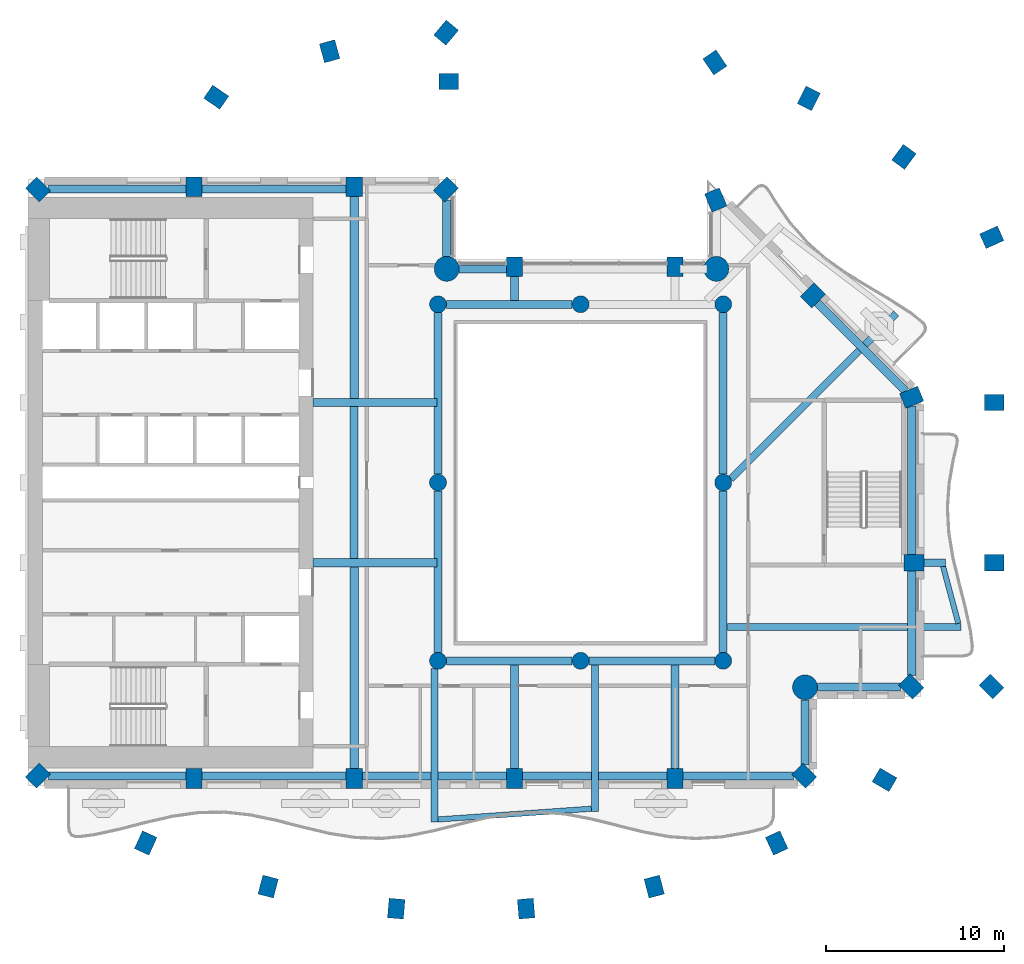
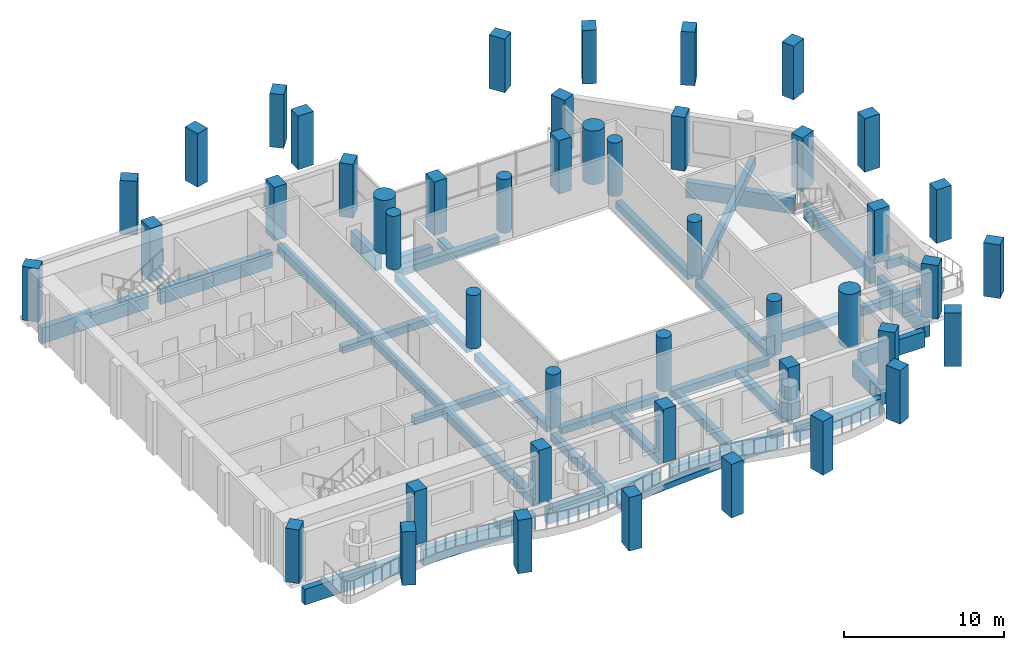
# One storey, part 1 of 14: 46 columns, 36 beams.
"""IFC4 building model written with IfcOpenShell, lengths in metres."""

import ifcopenshell
import ifcopenshell.guid

model = None  # the IFC model being written
_history = None  # IfcOwnerHistory: only IFC2X3 demands one
_inside = {}  # id of a spatial element -> (the spatial element, [elements in it])
_under = {}  # id of a project, library or spatial element -> (it, [spatial elements below it])
_declared = {}  # id of a project -> (the project, [libraries it declares])
_typed = {}  # id of a type object -> (the type object, [elements of that type])
_made_of = {}  # id of a material, layer set ... -> (it, [elements and type objects made of it])


def new_model(schema):
    """Start an empty IFC model of exactly this schema.

    Asked for "IFC4X3", IfcOpenShell would pick the latest addendum, in which some entities
    have other attributes; the version numbers below select the first issue.
    IFC2X3 requires an IfcOwnerHistory on every rooted entity: one is made here for all.
    """
    global model, _history
    if schema == "IFC4X3":
        model = ifcopenshell.file(schema_version=(4, 3, 0, 0))
    else:
        model = ifcopenshell.file(schema=schema)
    _inside.clear()
    _under.clear()
    _declared.clear()
    _typed.clear()
    _made_of.clear()
    _history = None
    if model.schema == "IFC2X3":
        org = make("IfcOrganization", Name="unknown")
        user = make(
            "IfcPersonAndOrganization",
            ThePerson=make("IfcPerson", FamilyName="unknown"),
            TheOrganization=org,
        )
        app = make(
            "IfcApplication",
            ApplicationDeveloper=org,
            Version="unknown",
            ApplicationFullName="unknown",
            ApplicationIdentifier="unknown",
        )
        _history = make(
            "IfcOwnerHistory",
            OwningUser=user,
            OwningApplication=app,
            ChangeAction="ADDED",
            CreationDate=0,
        )
    return model


def make(cls, **values):
    """One entity of the class cls with the attributes given. An attribute that is None is left unset."""
    return model.create_entity(
        cls, **{name: value for name, value in values.items() if value is not None}
    )


def rooted(cls, **values):
    """An entity with a GlobalId (a new one), such as an element, a storey or a relation."""
    return make(cls, GlobalId=ifcopenshell.guid.new(), OwnerHistory=_history, **values)


def si_unit(unit_type, name, prefix=None):
    """IfcSIUnit, for example si_unit("LENGTHUNIT", "METRE", prefix="MILLI")."""
    return make("IfcSIUnit", UnitType=unit_type, Prefix=prefix, Name=name)


def assignment(units):
    """IfcUnitAssignment: the units of a project."""
    return None if units is None else make("IfcUnitAssignment", Units=units)


def point(xyz):
    """IfcCartesianPoint."""
    return None if xyz is None else make("IfcCartesianPoint", Coordinates=xyz)


def direction(xyz):
    """IfcDirection."""
    return None if xyz is None else make("IfcDirection", DirectionRatios=xyz)


def frame(location, z_axis=None, x_axis=None):
    """IfcAxis2Placement3D, a coordinate frame: its origin and axes. An axis left out is left unset."""
    return make(
        "IfcAxis2Placement3D",
        Location=point(location),
        Axis=direction(z_axis),
        RefDirection=direction(x_axis),
    )


def frame_2d(location, x_axis=None):
    """IfcAxis2Placement2D, a coordinate frame in the plane: its origin and x axis."""
    return make(
        "IfcAxis2Placement2D", Location=point(location), RefDirection=direction(x_axis)
    )


def origin():
    """The frame at (0, 0, 0) with its axes left unset."""
    return frame((0.0, 0.0, 0.0))


def origin_2d():
    """The frame at (0, 0) in the plane with its x axis left unset."""
    return frame_2d((0.0, 0.0))


def place(relative_to, where):
    """IfcLocalPlacement: puts the frame where relative to a parent placement (None: the world)."""
    return make(
        "IfcLocalPlacement", PlacementRelTo=relative_to, RelativePlacement=where
    )


def context(
    kind, dimensions, precision=None, world=None, true_north=None, identifier=None
):
    """IfcGeometricRepresentationContext, for example the 3D "Model" context."""
    return make(
        "IfcGeometricRepresentationContext",
        ContextIdentifier=identifier,
        ContextType=kind,
        CoordinateSpaceDimension=dimensions,
        Precision=precision,
        WorldCoordinateSystem=world,
        TrueNorth=true_north,
    )


def subcontext(parent, identifier, kind, view, scale=None):
    """IfcGeometricRepresentationSubContext, for example "Body" below "Model"."""
    return make(
        "IfcGeometricRepresentationSubContext",
        ContextIdentifier=identifier,
        ContextType=kind,
        ParentContext=parent,
        TargetScale=scale,
        TargetView=view,
    )


def project(units=None, contexts=None):
    """IfcProject with its units and contexts."""
    return rooted(
        "IfcProject",
        Name="project",
        RepresentationContexts=contexts,
        UnitsInContext=assignment(units),
    )


def spatial(cls, under=None, at=None, **own):
    """A site, building, storey or space (cls), placed at a placement, below another one or the project."""
    s = rooted(cls, ObjectPlacement=at, **own)
    if under is not None:
        _under.setdefault(under.id(), (under, []))[1].append(s)
    return s


def profile(cls, at=None, kind="AREA", **sizes):
    """A parametric profile (cls). Its sizes go by their IFC names, for example OverallWidth=200.0."""
    return make(cls, ProfileType=kind, Position=at, **sizes)


def rectangle(**sizes):
    """IfcRectangleProfileDef."""
    return profile("IfcRectangleProfileDef", **sizes)


def circle(**sizes):
    """IfcCircleProfileDef."""
    return profile("IfcCircleProfileDef", **sizes)


def extrude(swept, where, along, depth):
    """IfcExtrudedAreaSolid: the profile swept, set in the frame where, extruded along a direction by depth."""
    return make(
        "IfcExtrudedAreaSolid",
        SweptArea=swept,
        Position=where,
        ExtrudedDirection=direction(along),
        Depth=depth,
    )


def shape(context_of_items, identifier, shape_type, items):
    """IfcShapeRepresentation: the items that make up one representation, for example the "Body"."""
    return make(
        "IfcShapeRepresentation",
        ContextOfItems=context_of_items,
        RepresentationIdentifier=identifier,
        RepresentationType=shape_type,
        Items=items,
    )


def material(Name=None, Category=None):
    """IfcMaterial."""
    return make("IfcMaterial", Name=Name, Category=Category)


def material_profile(
    of_material, cross_section, Name=None, Category=None, Priority=None
):
    """IfcMaterialProfile: a cross section and its material."""
    return make(
        "IfcMaterialProfile",
        Name=Name,
        Material=of_material,
        Profile=cross_section,
        Priority=Priority,
        Category=Category,
    )


def profile_set(profiles, Name=None, composite=None):
    """IfcMaterialProfileSet."""
    return make(
        "IfcMaterialProfileSet",
        Name=Name,
        MaterialProfiles=profiles,
        CompositeProfile=composite,
    )


def made_of(thing, what):
    """Note that an element or type object is made of a material, layer set ...; save() writes the relation."""
    if what is not None:
        _made_of.setdefault(what.id(), (what, []))[1].append(thing)
    return thing


def type_object(cls, material=None, **own):
    """A type object (cls), such as IfcWallType, which elements share."""
    return made_of(rooted(cls, **own), material)


def element(
    cls,
    number,
    at=None,
    inside=None,
    cuts=None,
    type_object=None,
    material=None,
    context=None,
    identifier="Body",
    shape_type=None,
    held_by="IfcProductDefinitionShape",
    body=None,
    shapes=None,
    **own,
):
    """One element of the class cls, such as IfcWall. Its Tag is "e" and its number.

    at: its placement. inside: the storey or other place that contains it. cuts: it is an
    opening in that element (IfcRelVoidsElement). A single representation is given by context,
    identifier, shape_type and body (its items); several are given by shapes. held_by: the class
    of the entity that holds the representations. save() writes the other relations.
    """
    e = rooted(cls, Tag="e%d" % number, ObjectPlacement=at, **own)
    if body is not None:
        shapes = [shape(context, identifier, shape_type, body)]
    if shapes is not None:
        e.Representation = make(held_by, Representations=shapes)
    if inside is not None:
        _inside.setdefault(inside.id(), (inside, []))[1].append(e)
    if cuts is not None:
        rooted(
            "IfcRelVoidsElement", RelatingBuildingElement=cuts, RelatedOpeningElement=e
        )
    if type_object is not None:
        _typed.setdefault(type_object.id(), (type_object, []))[1].append(e)
    return made_of(e, material)


def aggregate(whole, parts):
    """IfcRelAggregates: a whole, such as a stair, and the parts it consists of."""
    return rooted("IfcRelAggregates", RelatingObject=whole, RelatedObjects=parts)


def save(model, path):
    """Write the relations noted so far, then the file.

    IfcRelAggregates (storeys below a building ...), IfcRelContainedInSpatialStructure (elements
    in a storey), IfcRelDefinesByType, IfcRelAssociatesMaterial and IfcRelDeclares: one each for
    every whole, place, type object, material and project.
    """
    for whole, parts in _under.values():
        aggregate(whole, parts)
    for where, things in _inside.values():
        rooted(
            "IfcRelContainedInSpatialStructure",
            RelatedElements=things,
            RelatingStructure=where,
        )
    for kind, things in _typed.values():
        rooted("IfcRelDefinesByType", RelatedObjects=things, RelatingType=kind)
    for what, things in _made_of.values():
        rooted("IfcRelAssociatesMaterial", RelatedObjects=things, RelatingMaterial=what)
    for by, libraries in _declared.values():
        rooted("IfcRelDeclares", RelatingContext=by, RelatedDefinitions=libraries)
    model.write(path)


model = new_model("IFC4")

# Units and contexts
model_context = context("Model", 3, precision=1e-05, world=origin(), true_north=direction((0.0, 1.0)))
body_context = subcontext(model_context, "Body", "Model", "MODEL_VIEW")
ifc_project = project(units=[si_unit("LENGTHUNIT", "METRE"), si_unit("AREAUNIT", "SQUARE_METRE"), si_unit("VOLUMEUNIT", "CUBIC_METRE"), si_unit("PLANEANGLEUNIT", "RADIAN"), si_unit("MASSUNIT", "GRAM", prefix="KILO")], contexts=[model_context])

# Site, building, storey
site_placement = place(None, origin())
site = spatial("IfcSite", under=ifc_project, at=site_placement, CompositionType="ELEMENT")
building_placement = place(site_placement, origin())
building = spatial("IfcBuilding", under=site, at=building_placement, Name="Cypress Arch Tower", CompositionType="ELEMENT")
storey_placement = place(building_placement, frame((0.0, 0.0, 222.0)))
storey = spatial("IfcBuildingStorey", under=building, at=storey_placement, Name="L49", CompositionType="ELEMENT", Elevation=222.0)

# Columns
ifc_material_1 = material(Name="Concrete C70/85", Category="concrete")
ifc_material_profile_1 = material_profile(ifc_material_1, rectangle(XDim=0.89990234375, YDim=1.10009765625, at=origin_2d()), Name="RC 900x1100")
ifc_profile_set_1 = profile_set([ifc_material_profile_1], Name="Concrete C70/85")
column_type_1 = type_object("IfcColumnType", Name="Column RC 900x1100 Concrete C70/85", PredefinedType="COLUMN", material=ifc_profile_set_1)
for number, where, z_axis, x_axis, name in (
    (1, (-29.44287109375, 16.44287109375, 0.0), (0.0, 0.0, 1.0), (-0.707106781187, -0.707106781187, 0.0), "Column L49 CB00"),
    (2, (-29.44287109375, -16.44287109375, 0.0), (0.0, 0.0, 1.0), (0.707106781187, -0.707106781187, 0.0), "Column L49 CB01"),
    (3, (-20.699951171875, -16.60009765625, 0.0), (0.0, 0.0, 1.0), (1.0, 0.0, 0.0), "Column L49 CB02"),
    (4, (-11.699951171875, -16.60009765625, 0.0), (0.0, 0.0, 1.0), (1.0, 0.0, 0.0), "Column L49 CB03"),
    (5, (-2.699951171875, -16.60009765625, 0.0), (0.0, 0.0, 1.0), (1.0, 0.0, 0.0), "Column L49 CB04"),
    (6, (6.300048828125, -16.60009765625, 0.0), (0.0, 0.0, 1.0), (1.0, 0.0, 0.0), "Column L49 CB05"),
    (7, (13.54296875, -16.44287109375, 0.0), (0.0, 0.0, 1.0), (0.707106781187, 0.707106781187, 0.0), "Column L49 CB06"),
    (8, (19.54296875, -11.44287109375, 0.0), (0.0, 0.0, 1.0), (0.707106781187, 0.707106781187, 0.0), "Column L49 CB08"),
    (9, (19.699951171875, -4.5, 0.0), (0.0, 0.0, 1.0), (0.0, 1.0, 0.0), "Column L49 CB09"),
    (10, (19.569580078125, 4.7802734375, 0.0), (0.0, 0.0, 1.0), (-0.382683496864, 0.923879505795, 0.0), "Column L49 CB10"),
    (11, (14.029296875, 10.505126953125, 0.0), (0.0, 0.0, 1.0), (-0.707106781187, 0.707106781187, 0.0), "Column L49 CB11"),
    (12, (8.576171875, 15.850341796875, 0.0), (0.0, 0.0, 1.0), (-0.923879672772, -0.382683093746, 0.0), "Column L49 CB12"),
    (13, (6.300048828125, 12.10009765625, 0.0), (0.0, 0.0, 1.0), (-1.0, 0.0, 0.0), "Column L49 CB14"),
    (14, (-2.699951171875, 12.10009765625, 0.0), (0.0, 0.0, 1.0), (-1.0, 0.0, 0.0), "Column L49 CB15"),
    (15, (-6.55712890625, 16.44287109375, 0.0), (0.0, 0.0, 1.0), (-0.707106781187, 0.707106781187, 0.0), "Column L49 CB17"),
    (16, (-11.699951171875, 16.60009765625, 0.0), (0.0, 0.0, 1.0), (-1.0, 0.0, 0.0), "Column L49 CB18"),
    (17, (-20.699951171875, 16.60009765625, 0.0), (0.0, 0.0, 1.0), (-1.0, 0.0, 0.0), "Column L49 CB19"),
    (18, (8.53076171875, 23.564697265625, 0.0), (0.0, 0.0, 1.0), (-0.828469606019, -0.560034027451, 0.0), "Column L49 CQ00"),
    (19, (-6.39990234375, 22.5, 0.0), (0.0, 0.0, 1.0), (0.0, 1.0, 0.0), "Column L49 CQ01"),
    (20, (-6.54833984375, 25.236572265625, 0.0), (0.0, 0.0, 1.0), (-0.766063514674, 0.642764880407, 0.0), "Column L49 CQ02"),
    (21, (-13.081298828125, 24.193359375, 0.0), (0.0, 0.0, 1.0), (-0.96345574646, -0.267867550506, 0.0), "Column L49 CQ03"),
    (22, (-19.44189453125, 21.616943359375, 0.0), (0.0, 0.0, 1.0), (-0.565892599589, -0.824478966215, 0.0), "Column L49 CQ04"),
    (23, (-23.398193359375, -20.221435546875, 0.0), (0.0, 0.0, 1.0), (0.909932071487, -0.414757308891, 0.0), "Column L49 CQ05"),
    (24, (-16.529052734375, -22.666259765625, 0.0), (0.0, 0.0, 1.0), (0.96735573689, -0.2534223319, 0.0), "Column L49 CQ06"),
    (25, (-9.3427734375, -23.903564453125, 0.0), (0.0, 0.0, 1.0), (0.996368206733, -0.085149260784, 0.0), "Column L49 CQ07"),
    (26, (-2.057373046875, -23.903564453125, 0.0), (0.0, 0.0, 1.0), (0.996368206733, 0.085149260784, 0.0), "Column L49 CQ08"),
    (27, (5.12890625, -22.666259765625, 0.0), (0.0, 0.0, 1.0), (0.96735573689, 0.2534223319, 0.0), "Column L49 CQ09"),
    (28, (11.998291015625, -20.221435546875, 0.0), (0.0, 0.0, 1.0), (0.909932071487, 0.414757308891, 0.0), "Column L49 CQ10"),
    (29, (18.048095703125, -16.677490234375, 0.0), (0.0, 0.0, 1.0), (0.504399289829, 0.86347053014, 0.0), "Column L49 CQ11"),
    (30, (24.04296875, -11.44287109375, 0.0), (0.0, 0.0, 1.0), (0.707106781187, 0.707106781187, 0.0), "Column L49 CQ12"),
    (31, (24.199951171875, -4.5, 0.0), (0.0, 0.0, 1.0), (0.0, 1.0, 0.0), "Column L49 CQ13"),
    (32, (24.199951171875, 4.5, 0.0), (0.0, 0.0, 1.0), (0.0, 1.0, 0.0), "Column L49 CQ14"),
    (33, (24.06396484375, 13.75927734375, 0.0), (0.0, 0.0, 1.0), (-0.409765058504, 0.912191096662, 0.0), "Column L49 CQ15"),
    (34, (19.13818359375, 18.267578125, 0.0), (0.0, 0.0, 1.0), (-0.802798546114, 0.596250362144, 0.0), "Column L49 CQ16"),
    (35, (13.80322265625, 21.549072265625, 0.0), (0.0, 0.0, 1.0), (-0.893106499805, 0.44984528452, 0.0), "Column L49 CQ17"),
):
    element("IfcColumn", number, at=place(storey_placement, frame(where, z_axis=z_axis, x_axis=x_axis)), inside=storey, type_object=column_type_1, Name=name, PredefinedType="COLUMN", context=body_context, shape_type="SweptSolid", body=[
        extrude(rectangle(XDim=0.89990234375, YDim=1.10009765625, at=origin_2d()), origin(), (0.0, 0.0, 1.0), 4.10009765625),
    ])
ifc_material_2 = material(Name="Concrete C70/85", Category="concrete")
ifc_material_profile_2 = material_profile(ifc_material_2, circle(Radius=0.47509765625, at=origin_2d()), Name="RC D950")
ifc_profile_set_2 = profile_set([ifc_material_profile_2], Name="Concrete C70/85")
column_type_2 = type_object("IfcColumnType", Name="Column RC D950 Concrete C70/85", PredefinedType="COLUMN", material=ifc_profile_set_2)
for number, where, z_axis, x_axis, name in (
    (36, (-7.0, -10.0, 0.0), (0.0, 0.0, 1.0), (1.0, 0.0, 0.0), "Column L49 RNG-L49-G-7-10"),
    (37, (-7.0, 0.0, 0.0), (0.0, 0.0, 1.0), (1.0, 0.0, 0.0), "Column L49 RNG-L49-G-7+0"),
    (38, (-7.0, 10.0, 0.0), (0.0, 0.0, 1.0), (1.0, 0.0, 0.0), "Column L49 RNG-L49-G-7+10"),
    (39, (1.0, -10.0, 0.0), (0.0, 0.0, 1.0), (1.0, 0.0, 0.0), "Column L49 RNG-L49-G+1-10"),
    (40, (1.0, 10.0, 0.0), (0.0, 0.0, 1.0), (1.0, 0.0, 0.0), "Column L49 RNG-L49-G+1+10"),
    (41, (9.0, -10.0, 0.0), (0.0, 0.0, 1.0), (1.0, 0.0, 0.0), "Column L49 RNG-L49-G+9-10"),
    (42, (9.0, 0.0, 0.0), (0.0, 0.0, 1.0), (1.0, 0.0, 0.0), "Column L49 RNG-L49-G+9+0"),
    (43, (9.0, 10.0, 0.0), (0.0, 0.0, 1.0), (1.0, 0.0, 0.0), "Column L49 RNG-L49-G+9+10"),
):
    element("IfcColumn", number, at=place(storey_placement, frame(where, z_axis=z_axis, x_axis=x_axis)), inside=storey, type_object=column_type_2, Name=name, PredefinedType="COLUMN", context=body_context, shape_type="SweptSolid", body=[
        extrude(circle(Radius=0.47509765625, at=origin_2d()), origin(), (0.0, 0.0, 1.0), 4.10009765625),
    ])
ifc_material_3 = material(Name="Concrete C70/85", Category="concrete")
ifc_material_profile_3 = material_profile(ifc_material_3, circle(Radius=0.699951171875, at=origin_2d()), Name="RC D1400")
ifc_profile_set_3 = profile_set([ifc_material_profile_3], Name="Concrete C70/85")
column_type_3 = type_object("IfcColumnType", Name="Mega-column RC D1400 Concrete C70/85", PredefinedType="COLUMN", material=ifc_profile_set_3)
for number, where, z_axis, x_axis, name in (
    (44, (13.587890625, -11.48779296875, 0.0), (0.0, 0.0, 1.0), (1.0, 0.0, 0.0), "Column L49 CB07"),
    (45, (8.612060546875, 11.98779296875, 0.0), (0.0, 0.0, 1.0), (1.0, 0.0, 0.0), "Column L49 CB13"),
    (46, (-6.51220703125, 11.98779296875, 0.0), (0.0, 0.0, 1.0), (1.0, 0.0, 0.0), "Column L49 CB16"),
):
    element("IfcColumn", number, at=place(storey_placement, frame(where, z_axis=z_axis, x_axis=x_axis)), inside=storey, type_object=column_type_3, Name=name, PredefinedType="COLUMN", context=body_context, shape_type="SweptSolid", body=[
        extrude(circle(Radius=0.699951171875, at=origin_2d()), origin(), (0.0, 0.0, 1.0), 4.10009765625),
    ])

# Beams
ifc_material_4 = material(Name="Concrete C50/60", Category="concrete")
ifc_material_profile_4 = material_profile(ifc_material_4, rectangle(XDim=0.300048828125, YDim=0.39990234375, at=origin_2d()), Name="RC 300x400")
ifc_profile_set_4 = profile_set([ifc_material_profile_4], Name="Concrete C50/60")
beam_type_1 = type_object("IfcBeamType", Name="Balcony edge beam RC 300x400 Concrete C50/60", PredefinedType="BEAM", material=ifc_profile_set_4)
beam_1_placement = place(storey_placement, frame((22.189453125, -7.89990234375, -0.5), z_axis=(-0.259437022791, 0.965760027753, 0.0), x_axis=(-0.965760027753, -0.259437022791, 0.0)))
element("IfcBeam", 47, at=beam_1_placement, inside=storey, type_object=beam_type_1, Name="Balcony edge beam L49 B04", PredefinedType="BEAM", context=body_context, shape_type="SweptSolid", body=[
    extrude(rectangle(XDim=0.300048828125, YDim=0.39990234375, at=origin_2d()), origin(), (0.0, 0.0, 1.0), 3.3134765625),
])
ifc_material_5 = material(Name="Concrete C50/60", Category="concrete")
ifc_material_profile_5 = material_profile(ifc_material_5, rectangle(XDim=0.300048828125, YDim=0.449951171875, at=origin_2d()), Name="RC 300x450")
ifc_profile_set_5 = profile_set([ifc_material_profile_5], Name="Concrete C50/60")
beam_type_2 = type_object("IfcBeamType", Name="Balcony edge beam RC 300x450 Concrete C50/60", PredefinedType="BEAM", material=ifc_profile_set_5)
beam_2_placement = place(storey_placement, frame((-7.0, -18.90087890625, -0.52490234375), z_axis=(0.997542804478, 0.070059640557, 0.0), x_axis=(-0.070059640557, 0.997542804478, 0.0)))
element("IfcBeam", 48, at=beam_2_placement, inside=storey, type_object=beam_type_2, Name="Balcony edge beam L49 B01", PredefinedType="BEAM", context=body_context, shape_type="SweptSolid", body=[
    extrude(rectangle(XDim=0.300048828125, YDim=0.449951171875, at=origin_2d()), origin(), (0.0, 0.0, 1.0), 8.621337890625),
])
ifc_material_6 = material(Name="Concrete C50/60", Category="concrete")
ifc_material_profile_6 = material_profile(ifc_material_6, rectangle(XDim=0.39990234375, YDim=0.64990234375, at=origin_2d()), Name="RC 400x650")
ifc_profile_set_6 = profile_set([ifc_material_profile_6], Name="Concrete C50/60")
beam_type_3 = type_object("IfcBeamType", Name="Cantilever beam RC 400x650 Concrete C50/60", PredefinedType="BEAM", material=ifc_profile_set_6)
beam_3_placement = place(storey_placement, frame((-7.199951171875, -10.4306640625, -0.625), z_axis=(0.0, -1.0, 0.0), x_axis=(1.0, 0.0, 0.0)))
element("IfcBeam", 49, at=beam_3_placement, inside=storey, type_object=beam_type_3, Name="Cantilever beam L49 B01 1", PredefinedType="BEAM", context=body_context, shape_type="SweptSolid", body=[
    extrude(rectangle(XDim=0.39990234375, YDim=0.64990234375, at=origin_2d()), origin(), (0.0, 0.0, 1.0), 8.620361328125),
])
beam_4_placement = place(storey_placement, frame((1.800048828125, -10.22509765625, -0.625), z_axis=(0.0, -1.0, 0.0), x_axis=(1.0, 0.0, 0.0)))
element("IfcBeam", 50, at=beam_4_placement, inside=storey, type_object=beam_type_3, Name="Cantilever beam L49 B01 2", PredefinedType="BEAM", context=body_context, shape_type="SweptSolid", body=[
    extrude(rectangle(XDim=0.39990234375, YDim=0.64990234375, at=origin_2d()), origin(), (0.0, 0.0, 1.0), 8.221923828125),
])
beam_5_placement = place(storey_placement, frame((9.22509765625, -8.10009765625, -0.625), z_axis=(1.0, 0.0, 0.0), x_axis=(0.0, 1.0, 0.0)))
element("IfcBeam", 51, at=beam_5_placement, inside=storey, type_object=beam_type_3, Name="Cantilever beam L49 B04 1", PredefinedType="BEAM", context=body_context, shape_type="SweptSolid", body=[
    extrude(rectangle(XDim=0.39990234375, YDim=0.64990234375, at=origin_2d()), origin(), (0.0, 0.0, 1.0), 13.1142578125),
])
beam_6_placement = place(storey_placement, frame((20.25, -4.5, -0.625), z_axis=(1.0, 0.0, 0.0), x_axis=(0.0, 1.0, 0.0)))
element("IfcBeam", 52, at=beam_6_placement, inside=storey, type_object=beam_type_3, Name="Cantilever beam L49 B04 2", PredefinedType="BEAM", context=body_context, shape_type="SweptSolid", body=[
    extrude(rectangle(XDim=0.39990234375, YDim=0.64990234375, at=origin_2d()), origin(), (0.0, 0.0, 1.0), 1.22998046875),
])
beam_7_placement = place(storey_placement, frame((9.4287109375, 0.204345703125, -0.625), z_axis=(0.707106781187, 0.707106781187, 0.0), x_axis=(-0.707106781187, 0.707106781187, 0.0)))
element("IfcBeam", 53, at=beam_7_placement, inside=storey, type_object=beam_type_3, Name="Cantilever beam L49 B05 1", PredefinedType="BEAM", context=body_context, shape_type="SweptSolid", body=[
    extrude(rectangle(XDim=0.39990234375, YDim=0.64990234375, at=origin_2d()), origin(), (0.0, 0.0, 1.0), 13.12109375),
])
ifc_material_7 = material(Name="Concrete C50/60", Category="concrete")
ifc_material_profile_7 = material_profile(ifc_material_7, rectangle(XDim=0.449951171875, YDim=0.550048828125, at=origin_2d()), Name="RC 450x550")
ifc_profile_set_7 = profile_set([ifc_material_profile_7], Name="Concrete C50/60")
beam_type_4 = type_object("IfcBeamType", Name="Floor beam RC 450x550 Concrete C50/60", PredefinedType="BEAM", material=ifc_profile_set_7)
for number, where, z_axis, x_axis, name in (
    (54, (-7.0, -9.52490234375, -0.574951171875), (0.0, 1.0, 0.0), (-1.0, 0.0, 0.0), "Floor beam L49 RB001"),
    (55, (-7.0, 0.47509765625, -0.574951171875), (0.0, 1.0, 0.0), (-1.0, 0.0, 0.0), "Floor beam L49 RB002"),
    (56, (9.0, -9.52490234375, -0.574951171875), (0.0, 1.0, 0.0), (-1.0, 0.0, 0.0), "Floor beam L49 RB003"),
    (57, (9.0, 0.47509765625, -0.574951171875), (0.0, 1.0, 0.0), (-1.0, 0.0, 0.0), "Floor beam L49 RB004"),
):
    element("IfcBeam", number, at=place(storey_placement, frame(where, z_axis=z_axis, x_axis=x_axis)), inside=storey, type_object=beam_type_4, Name=name, PredefinedType="BEAM", context=body_context, shape_type="SweptSolid", body=[
        extrude(rectangle(XDim=0.449951171875, YDim=0.550048828125, at=origin_2d()), origin(), (0.0, 0.0, 1.0), 9.0498046875),
    ])
for number, where, z_axis, x_axis, name in (
    (58, (-6.52490234375, -10.0, -0.574951171875), (1.0, 0.0, 0.0), (0.0, 1.0, 0.0), "Floor beam L49 RB005"),
    (59, (1.47509765625, -10.0, -0.574951171875), (1.0, 0.0, 0.0), (0.0, 1.0, 0.0), "Floor beam L49 RB006"),
    (60, (-6.52490234375, 10.0, -0.574951171875), (1.0, 0.0, 0.0), (0.0, 1.0, 0.0), "Floor beam L49 RB007"),
):
    element("IfcBeam", number, at=place(storey_placement, frame(where, z_axis=z_axis, x_axis=x_axis)), inside=storey, type_object=beam_type_4, Name=name, PredefinedType="BEAM", context=body_context, shape_type="SweptSolid", body=[
        extrude(rectangle(XDim=0.449951171875, YDim=0.550048828125, at=origin_2d()), origin(), (0.0, 0.0, 1.0), 7.0498046875),
    ])
for number, where, z_axis, x_axis, name in (
    (61, (-14.0, -4.5, -0.574951171875), (1.0, 0.0, 0.0), (0.0, 1.0, 0.0), "Floor beam L49 FB009"),
    (62, (-14.0, 4.5, -0.574951171875), (1.0, 0.0, 0.0), (0.0, 1.0, 0.0), "Floor beam L49 FB010"),
):
    element("IfcBeam", number, at=place(storey_placement, frame(where, z_axis=z_axis, x_axis=x_axis)), inside=storey, type_object=beam_type_4, Name=name, PredefinedType="BEAM", context=body_context, shape_type="SweptSolid", body=[
        extrude(rectangle(XDim=0.449951171875, YDim=0.550048828125, at=origin_2d()), origin(), (0.0, 0.0, 1.0), 6.949951171875),
    ])
beam_8_placement = place(storey_placement, frame((-11.699951171875, -4.27490234375, -0.574951171875), z_axis=(0.0, 1.0, 0.0), x_axis=(-1.0, 0.0, 0.0)))
element("IfcBeam", 63, at=beam_8_placement, inside=storey, type_object=beam_type_4, Name="Floor beam L49 FB012", PredefinedType="BEAM", context=body_context, shape_type="SweptSolid", body=[
    extrude(rectangle(XDim=0.449951171875, YDim=0.550048828125, at=origin_2d()), origin(), (0.0, 0.0, 1.0), 8.5498046875),
])
beam_9_placement = place(storey_placement, frame((-2.699951171875, -16.050048828125, -0.574951171875), z_axis=(0.0, 1.0, 0.0), x_axis=(-1.0, 0.0, 0.0)))
element("IfcBeam", 64, at=beam_9_placement, inside=storey, type_object=beam_type_4, Name="Floor beam L49 FB014", PredefinedType="BEAM", context=body_context, shape_type="SweptSolid", body=[
    extrude(rectangle(XDim=0.449951171875, YDim=0.550048828125, at=origin_2d()), origin(), (0.0, 0.0, 1.0), 5.824951171875),
])
beam_10_placement = place(storey_placement, frame((-2.699951171875, 10.22509765625, -0.574951171875), z_axis=(0.0, 1.0, 0.0), x_axis=(-1.0, 0.0, 0.0)))
element("IfcBeam", 65, at=beam_10_placement, inside=storey, type_object=beam_type_4, Name="Floor beam L49 FB015", PredefinedType="BEAM", context=body_context, shape_type="SweptSolid", body=[
    extrude(rectangle(XDim=0.449951171875, YDim=0.550048828125, at=origin_2d()), origin(), (0.0, 0.0, 1.0), 1.324951171875),
])
beam_11_placement = place(storey_placement, frame((6.300048828125, -16.050048828125, -0.574951171875), z_axis=(0.0, 1.0, 0.0), x_axis=(-1.0, 0.0, 0.0)))
element("IfcBeam", 66, at=beam_11_placement, inside=storey, type_object=beam_type_4, Name="Floor beam L49 FB016", PredefinedType="BEAM", context=body_context, shape_type="SweptSolid", body=[
    extrude(rectangle(XDim=0.449951171875, YDim=0.550048828125, at=origin_2d()), origin(), (0.0, 0.0, 1.0), 5.824951171875),
])
ifc_material_8 = material(Name="Concrete C50/60", Category="concrete")
ifc_material_profile_8 = material_profile(ifc_material_8, rectangle(XDim=0.5, YDim=0.64990234375, at=origin_2d()), Name="RC 500x650")
ifc_profile_set_8 = profile_set([ifc_material_profile_8], Name="Concrete C50/60")
beam_type_5 = type_object("IfcBeamType", Name="Floor beam RC 500x650 Concrete C50/60", PredefinedType="BEAM", material=ifc_profile_set_8)
for number, where, z_axis, x_axis, name in (
    (67, (-11.699951171875, -16.050048828125, -0.625), (0.0, 1.0, 0.0), (-1.0, 0.0, 0.0), "Floor beam L49 FB011"),
    (68, (-11.699951171875, 4.72509765625, -0.625), (0.0, 1.0, 0.0), (-1.0, 0.0, 0.0), "Floor beam L49 FB013"),
):
    element("IfcBeam", number, at=place(storey_placement, frame(where, z_axis=z_axis, x_axis=x_axis)), inside=storey, type_object=beam_type_5, Name=name, PredefinedType="BEAM", context=body_context, shape_type="SweptSolid", body=[
        extrude(rectangle(XDim=0.5, YDim=0.64990234375, at=origin_2d()), origin(), (0.0, 0.0, 1.0), 11.324951171875),
    ])
ifc_material_9 = material(Name="Concrete C50/60", Category="concrete")
ifc_material_profile_9 = material_profile(ifc_material_9, rectangle(XDim=0.449951171875, YDim=1.199951171875, at=origin_2d()), Name="RC 450x1200")
ifc_profile_set_9 = profile_set([ifc_material_profile_9], Name="Concrete C50/60")
beam_type_6 = type_object("IfcBeamType", Name="Spandrel beam RC 450x1200 Concrete C50/60", PredefinedType="SPANDREL", material=ifc_profile_set_9)
beam_12_placement = place(storey_placement, frame((-28.838623046875, -16.47509765625, -1.550048828125), z_axis=(1.0, 0.0, 0.0), x_axis=(0.0, 1.0, 0.0)))
element("IfcBeam", 69, at=beam_12_placement, inside=storey, type_object=beam_type_6, Name="Spandrel beam L49 BB01-0", PredefinedType="SPANDREL", context=body_context, shape_type="SweptSolid", body=[
    extrude(rectangle(XDim=0.449951171875, YDim=1.199951171875, at=origin_2d()), origin(), (0.0, 0.0, 1.0), 7.688720703125),
])
for number, where, z_axis, x_axis, name in (
    (70, (-20.25, -16.47509765625, -1.550048828125), (1.0, 0.0, 0.0), (0.0, 1.0, 0.0), "Spandrel beam L49 BB01-1"),
    (71, (-11.25, -16.47509765625, -1.550048828125), (1.0, 0.0, 0.0), (0.0, 1.0, 0.0), "Spandrel beam L49 BB01-2"),
    (72, (-2.25, -16.47509765625, -1.550048828125), (1.0, 0.0, 0.0), (0.0, 1.0, 0.0), "Spandrel beam L49 BB01-3"),
):
    element("IfcBeam", number, at=place(storey_placement, frame(where, z_axis=z_axis, x_axis=x_axis)), inside=storey, type_object=beam_type_6, Name=name, PredefinedType="SPANDREL", context=body_context, shape_type="SweptSolid", body=[
        extrude(rectangle(XDim=0.449951171875, YDim=1.199951171875, at=origin_2d()), origin(), (0.0, 0.0, 1.0), 8.10009765625),
    ])
beam_13_placement = place(storey_placement, frame((6.75, -16.47509765625, -1.550048828125), z_axis=(1.0, 0.0, 0.0), x_axis=(0.0, 1.0, 0.0)))
element("IfcBeam", 73, at=beam_13_placement, inside=storey, type_object=beam_type_6, Name="Spandrel beam L49 BB01-4", PredefinedType="SPANDREL", context=body_context, shape_type="SweptSolid", body=[
    extrude(rectangle(XDim=0.449951171875, YDim=1.199951171875, at=origin_2d()), origin(), (0.0, 0.0, 1.0), 6.188720703125),
])
beam_14_placement = place(storey_placement, frame((13.574951171875, -15.838623046875, -1.550048828125), z_axis=(0.0, 1.0, 0.0), x_axis=(-1.0, 0.0, 0.0)))
element("IfcBeam", 74, at=beam_14_placement, inside=storey, type_object=beam_type_6, Name="Spandrel beam L49 BB02-0", PredefinedType="SPANDREL", context=body_context, shape_type="SweptSolid", body=[
    extrude(rectangle(XDim=0.449951171875, YDim=1.199951171875, at=origin_2d()), origin(), (0.0, 0.0, 1.0), 3.651123046875),
])
beam_15_placement = place(storey_placement, frame((14.28759765625, -11.47509765625, -1.550048828125), z_axis=(1.0, 0.0, 0.0), x_axis=(0.0, 1.0, 0.0)))
element("IfcBeam", 75, at=beam_15_placement, inside=storey, type_object=beam_type_6, Name="Spandrel beam L49 BB03-0", PredefinedType="SPANDREL", context=body_context, shape_type="SweptSolid", body=[
    extrude(rectangle(XDim=0.449951171875, YDim=1.199951171875, at=origin_2d()), origin(), (0.0, 0.0, 1.0), 4.651123046875),
])
beam_16_placement = place(storey_placement, frame((19.574951171875, -10.838623046875, -1.550048828125), z_axis=(0.0, 1.0, 0.0), x_axis=(-1.0, 0.0, 0.0)))
element("IfcBeam", 76, at=beam_16_placement, inside=storey, type_object=beam_type_6, Name="Spandrel beam L49 BB04-0", PredefinedType="SPANDREL", context=body_context, shape_type="SweptSolid", body=[
    extrude(rectangle(XDim=0.449951171875, YDim=1.199951171875, at=origin_2d()), origin(), (0.0, 0.0, 1.0), 5.888671875),
])
beam_17_placement = place(storey_placement, frame((19.574951171875, -4.050048828125, -1.550048828125), z_axis=(0.0, 1.0, 0.0), x_axis=(-1.0, 0.0, 0.0)))
element("IfcBeam", 77, at=beam_17_placement, inside=storey, type_object=beam_type_6, Name="Spandrel beam L49 BB04-1", PredefinedType="SPANDREL", context=body_context, shape_type="SweptSolid", body=[
    extrude(rectangle(XDim=0.449951171875, YDim=1.199951171875, at=origin_2d()), origin(), (0.0, 0.0, 1.0), 8.345458984375),
])
beam_18_placement = place(storey_placement, frame((19.23046875, 5.126953125, -1.550048828125), z_axis=(-0.707106781187, 0.707106781187, 0.0), x_axis=(-0.707106781187, -0.707106781187, 0.0)))
element("IfcBeam", 78, at=beam_18_placement, inside=storey, type_object=beam_type_6, Name="Spandrel beam L49 BB05-0", PredefinedType="SPANDREL", context=body_context, shape_type="SweptSolid", body=[
    extrude(rectangle(XDim=0.449951171875, YDim=1.199951171875, at=origin_2d()), origin(), (0.0, 0.0, 1.0), 7.03076171875),
])
beam_19_placement = place(storey_placement, frame((-3.14990234375, 11.97509765625, -1.550048828125), z_axis=(-1.0, 0.0, 0.0), x_axis=(0.0, -1.0, 0.0)))
element("IfcBeam", 79, at=beam_19_placement, inside=storey, type_object=beam_type_6, Name="Spandrel beam L49 BB07-2", PredefinedType="SPANDREL", context=body_context, shape_type="SweptSolid", body=[
    extrude(rectangle(XDim=0.449951171875, YDim=1.199951171875, at=origin_2d()), origin(), (0.0, 0.0, 1.0), 2.66259765625),
])
beam_20_placement = place(storey_placement, frame((-6.52490234375, 12.6875, -1.550048828125), z_axis=(0.0, 1.0, 0.0), x_axis=(-1.0, 0.0, 0.0)))
element("IfcBeam", 80, at=beam_20_placement, inside=storey, type_object=beam_type_6, Name="Spandrel beam L49 BB08-0", PredefinedType="SPANDREL", context=body_context, shape_type="SweptSolid", body=[
    extrude(rectangle(XDim=0.449951171875, YDim=1.199951171875, at=origin_2d()), origin(), (0.0, 0.0, 1.0), 3.151123046875),
])
beam_21_placement = place(storey_placement, frame((-12.14990234375, 16.47509765625, -1.550048828125), z_axis=(-1.0, 0.0, 0.0), x_axis=(0.0, -1.0, 0.0)))
element("IfcBeam", 81, at=beam_21_placement, inside=storey, type_object=beam_type_6, Name="Spandrel beam L49 BB09-1", PredefinedType="SPANDREL", context=body_context, shape_type="SweptSolid", body=[
    extrude(rectangle(XDim=0.449951171875, YDim=1.199951171875, at=origin_2d()), origin(), (0.0, 0.0, 1.0), 8.10009765625),
])
beam_22_placement = place(storey_placement, frame((-21.14990234375, 16.47509765625, -1.550048828125), z_axis=(-1.0, 0.0, 0.0), x_axis=(0.0, -1.0, 0.0)))
element("IfcBeam", 82, at=beam_22_placement, inside=storey, type_object=beam_type_6, Name="Spandrel beam L49 BB09-2", PredefinedType="SPANDREL", context=body_context, shape_type="SweptSolid", body=[
    extrude(rectangle(XDim=0.449951171875, YDim=1.199951171875, at=origin_2d()), origin(), (0.0, 0.0, 1.0), 7.688720703125),
])

save(model, "model.ifc")
